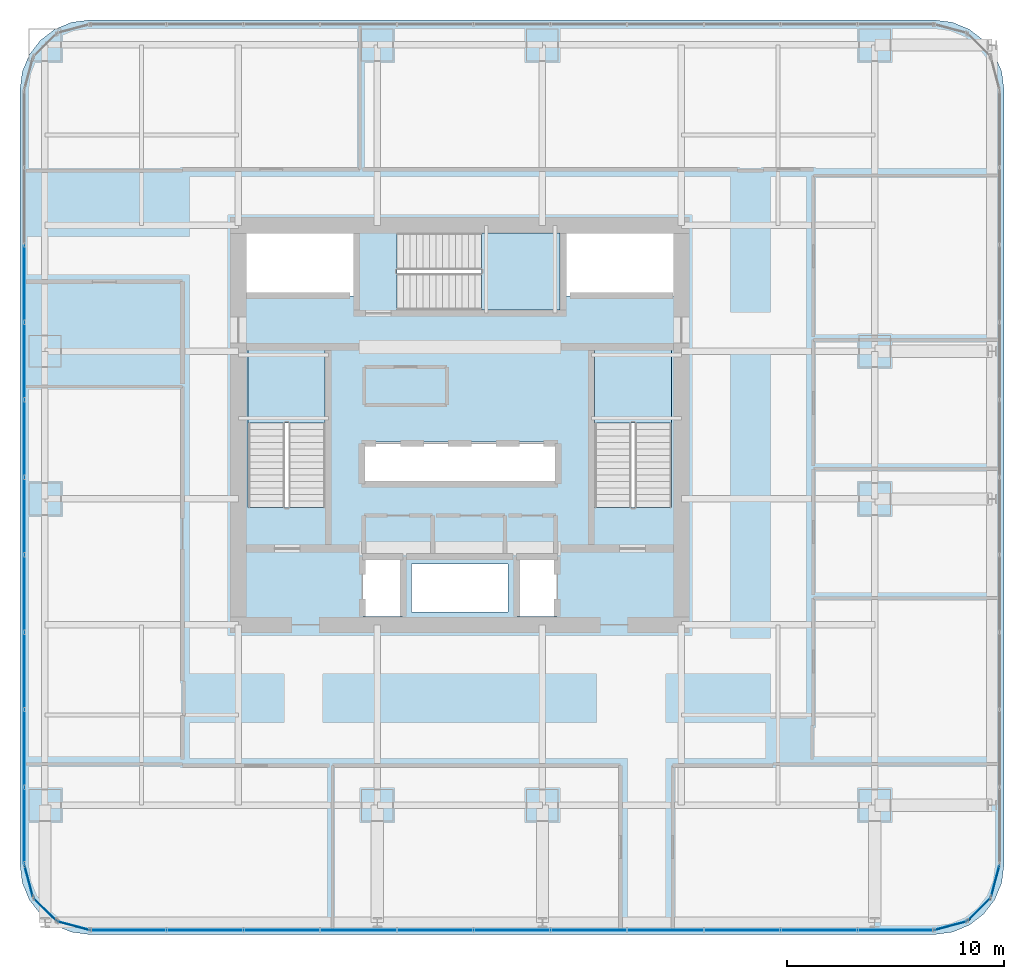
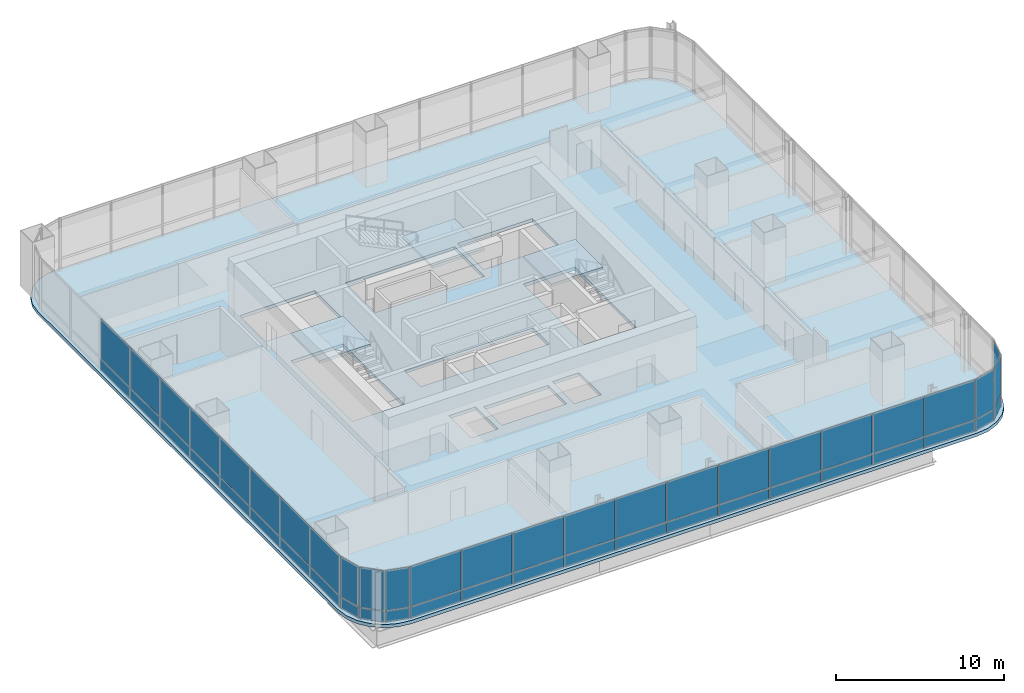
# One storey, part 25 of 34: 50 plates, 4 slabs, 11 elements without a shape of their own.
"""IFC4 building model written with IfcOpenShell, lengths in metres."""

from ifc_helpers import new_model, si_unit, direction, frame, origin, origin_2d, place, context, subcontext, project, spatial, polyline, rectangle, outline, extrude, material, layer, layer_set, type_object, element, aggregate, save


model = new_model("IFC4")

# Units and contexts
model_context = context("Model", 3, precision=1e-05, world=origin(), true_north=direction((0.0, 1.0)))
body_context = subcontext(model_context, "Body", "Model", "MODEL_VIEW")
ifc_project = project(units=[si_unit("LENGTHUNIT", "METRE"), si_unit("AREAUNIT", "SQUARE_METRE"), si_unit("VOLUMEUNIT", "CUBIC_METRE"), si_unit("PLANEANGLEUNIT", "RADIAN"), si_unit("MASSUNIT", "GRAM", prefix="KILO")], contexts=[model_context])

# Site, building, storey
site_placement = place(None, origin())
site = spatial("IfcSite", under=ifc_project, at=site_placement, CompositionType="ELEMENT")
building_placement = place(site_placement, origin())
building = spatial("IfcBuilding", under=site, at=building_placement, Name="Punatoya Terracotta Tower", CompositionType="ELEMENT")
storey_placement = place(building_placement, frame((0.0, 0.0, 84.89990234375)))
storey = spatial("IfcBuildingStorey", under=building, at=storey_placement, Name="L19", CompositionType="ELEMENT", Elevation=84.89990234375)

# Curtain wall, plates
ifc_material_1 = material(Name="Aluminium 6063-T6 + Double Low-E Glass", Category="aluminium")
curtain_wall_type = type_object("IfcCurtainWallType", Name="CW-M1", PredefinedType="NOTDEFINED", material=ifc_material_1)
curtain_wall_1_placement = place(storey_placement, origin())
curtain_wall_1 = element("IfcCurtainWall", 1, at=curtain_wall_1_placement, inside=storey, type_object=curtain_wall_type, Name="L19 Curtain Wall CW-L19-S01-1", PredefinedType="NOTDEFINED")
ifc_material_2 = material(Name="Double Low-E Clear Vision Glass", Category="glass")
ifc_layer_1 = layer(ifc_material_2, 0.028076171875)
ifc_layer_set_1 = layer_set([ifc_layer_1], Name="Double Low-E Clear Vision Glass")
plate_type_1 = type_object("IfcPlateType", Name="PLT-GLZ-28", PredefinedType="CURTAIN_PANEL", material=ifc_layer_set_1)
plate_1_placement = place(storey_placement, frame((-15.27001953125, -23.25, 0.89013671875), z_axis=(0.0, 0.0, 1.0), x_axis=(1.0, 0.0, 0.0)))
plate_1 = element("IfcPlate", 2, at=plate_1_placement, type_object=plate_type_1, Name="CW-L19-S01-1 Vision Glass Panel 1", PredefinedType="CURTAIN_PANEL", context=body_context, shape_type="SweptSolid", body=[
    extrude(rectangle(XDim=3.448974609375, YDim=0.028076171875, at=origin_2d()), origin(), (0.0, 0.0, 1.0), 2.8798828125),
])
plate_2_placement = place(storey_placement, frame((-11.73583984375, -23.25, 0.89013671875), z_axis=(0.0, 0.0, 1.0), x_axis=(1.0, 0.0, 0.0)))
plate_2 = element("IfcPlate", 3, at=plate_2_placement, type_object=plate_type_1, Name="CW-L19-S01-1 Vision Glass Panel 2", PredefinedType="CURTAIN_PANEL", context=body_context, shape_type="SweptSolid", body=[
    extrude(rectangle(XDim=3.448974609375, YDim=0.028076171875, at=origin_2d()), origin(), (0.0, 0.0, 1.0), 2.8798828125),
])
plate_3_placement = place(storey_placement, frame((-8.201904296875, -23.25, 0.89013671875), z_axis=(0.0, 0.0, 1.0), x_axis=(1.0, 0.0, 0.0)))
plate_3 = element("IfcPlate", 4, at=plate_3_placement, type_object=plate_type_1, Name="CW-L19-S01-1 Vision Glass Panel 3", PredefinedType="CURTAIN_PANEL", context=body_context, shape_type="SweptSolid", body=[
    extrude(rectangle(XDim=3.448974609375, YDim=0.028076171875, at=origin_2d()), origin(), (0.0, 0.0, 1.0), 2.8798828125),
])
plate_4_placement = place(storey_placement, frame((-4.66796875, -23.25, 0.89013671875), z_axis=(0.0, 0.0, 1.0), x_axis=(1.0, 0.0, 0.0)))
plate_4 = element("IfcPlate", 5, at=plate_4_placement, type_object=plate_type_1, Name="CW-L19-S01-1 Vision Glass Panel 4", PredefinedType="CURTAIN_PANEL", context=body_context, shape_type="SweptSolid", body=[
    extrude(rectangle(XDim=3.448974609375, YDim=0.028076171875, at=origin_2d()), origin(), (0.0, 0.0, 1.0), 2.8798828125),
])
plate_5_placement = place(storey_placement, frame((-1.134033203125, -23.25, 0.89013671875), z_axis=(0.0, 0.0, 1.0), x_axis=(1.0, 0.0, 0.0)))
plate_5 = element("IfcPlate", 6, at=plate_5_placement, type_object=plate_type_1, Name="CW-L19-S01-1 Vision Glass Panel 5", PredefinedType="CURTAIN_PANEL", context=body_context, shape_type="SweptSolid", body=[
    extrude(rectangle(XDim=3.448974609375, YDim=0.028076171875, at=origin_2d()), origin(), (0.0, 0.0, 1.0), 2.8798828125),
])
plate_6_placement = place(storey_placement, frame((2.39990234375, -23.25, 0.89013671875), z_axis=(0.0, 0.0, 1.0), x_axis=(1.0, 0.0, 0.0)))
plate_6 = element("IfcPlate", 7, at=plate_6_placement, type_object=plate_type_1, Name="CW-L19-S01-1 Vision Glass Panel 6", PredefinedType="CURTAIN_PANEL", context=body_context, shape_type="SweptSolid", body=[
    extrude(rectangle(XDim=3.448974609375, YDim=0.028076171875, at=origin_2d()), origin(), (0.0, 0.0, 1.0), 2.8798828125),
])
plate_7_placement = place(storey_placement, frame((5.93408203125, -23.25, 0.89013671875), z_axis=(0.0, 0.0, 1.0), x_axis=(1.0, 0.0, 0.0)))
plate_7 = element("IfcPlate", 8, at=plate_7_placement, type_object=plate_type_1, Name="CW-L19-S01-1 Vision Glass Panel 7", PredefinedType="CURTAIN_PANEL", context=body_context, shape_type="SweptSolid", body=[
    extrude(rectangle(XDim=3.448974609375, YDim=0.028076171875, at=origin_2d()), origin(), (0.0, 0.0, 1.0), 2.8798828125),
])
plate_8_placement = place(storey_placement, frame((9.468017578125, -23.25, 0.89013671875), z_axis=(0.0, 0.0, 1.0), x_axis=(1.0, 0.0, 0.0)))
plate_8 = element("IfcPlate", 9, at=plate_8_placement, type_object=plate_type_1, Name="CW-L19-S01-1 Vision Glass Panel 8", PredefinedType="CURTAIN_PANEL", context=body_context, shape_type="SweptSolid", body=[
    extrude(rectangle(XDim=3.448974609375, YDim=0.028076171875, at=origin_2d()), origin(), (0.0, 0.0, 1.0), 2.8798828125),
])
plate_9_placement = place(storey_placement, frame((13.001953125, -23.25, 0.89013671875), z_axis=(0.0, 0.0, 1.0), x_axis=(1.0, 0.0, 0.0)))
plate_9 = element("IfcPlate", 10, at=plate_9_placement, type_object=plate_type_1, Name="CW-L19-S01-1 Vision Glass Panel 9", PredefinedType="CURTAIN_PANEL", context=body_context, shape_type="SweptSolid", body=[
    extrude(rectangle(XDim=3.448974609375, YDim=0.028076171875, at=origin_2d()), origin(), (0.0, 0.0, 1.0), 2.8798828125),
])
plate_10_placement = place(storey_placement, frame((16.535888671875, -23.25, 0.89013671875), z_axis=(0.0, 0.0, 1.0), x_axis=(1.0, 0.0, 0.0)))
plate_10 = element("IfcPlate", 11, at=plate_10_placement, type_object=plate_type_1, Name="CW-L19-S01-1 Vision Glass Panel 10", PredefinedType="CURTAIN_PANEL", context=body_context, shape_type="SweptSolid", body=[
    extrude(rectangle(XDim=3.448974609375, YDim=0.028076171875, at=origin_2d()), origin(), (0.0, 0.0, 1.0), 2.8798828125),
])
plate_11_placement = place(storey_placement, frame((20.06982421875, -23.25, 0.89013671875), z_axis=(0.0, 0.0, 1.0), x_axis=(1.0, 0.0, 0.0)))
plate_11 = element("IfcPlate", 12, at=plate_11_placement, type_object=plate_type_1, Name="CW-L19-S01-1 Vision Glass Panel 11", PredefinedType="CURTAIN_PANEL", context=body_context, shape_type="SweptSolid", body=[
    extrude(rectangle(XDim=3.448974609375, YDim=0.028076171875, at=origin_2d()), origin(), (0.0, 0.0, 1.0), 2.8798828125),
])

# Curtain wall, plate
curtain_wall_2_placement = place(storey_placement, origin())
curtain_wall_2 = element("IfcCurtainWall", 13, at=curtain_wall_2_placement, inside=storey, type_object=curtain_wall_type, Name="L19 Curtain Wall CW-L19-CRN02", PredefinedType="NOTDEFINED")
plate_12_placement = place(storey_placement, frame((22.593017578125, -23.04833984375, 0.89013671875), z_axis=(0.0, 0.0, 1.0), x_axis=(0.966213877436, 0.257741620719, 0.0)))
plate_12 = element("IfcPlate", 14, at=plate_12_placement, type_object=plate_type_1, Name="CW-L19-CRN02 Vision Glass Panel 1", PredefinedType="CURTAIN_PANEL", context=body_context, shape_type="SweptSolid", body=[
    extrude(rectangle(XDim=1.47998046875, YDim=0.028076171875, at=origin_2d()), origin(), (0.0, 0.0, 1.0), 2.8798828125),
])

curtain_wall_3_placement = place(storey_placement, origin())
curtain_wall_3 = element("IfcCurtainWall", 15, at=curtain_wall_3_placement, inside=storey, type_object=curtain_wall_type, Name="L19 Curtain Wall CW-L19-CRN03", PredefinedType="NOTDEFINED")
plate_13_placement = place(storey_placement, frame((23.89794921875, -22.2978515625, 0.89013671875), z_axis=(0.0, 0.0, 1.0), x_axis=(0.707106781187, 0.707106781187, 0.0)))
plate_13 = element("IfcPlate", 16, at=plate_13_placement, type_object=plate_type_1, Name="CW-L19-CRN03 Vision Glass Panel 1", PredefinedType="CURTAIN_PANEL", context=body_context, shape_type="SweptSolid", body=[
    extrude(rectangle(XDim=1.467041015625, YDim=0.028076171875, at=origin_2d()), origin(), (0.0, 0.0, 1.0), 2.8798828125),
])

curtain_wall_4_placement = place(storey_placement, origin())
curtain_wall_4 = element("IfcCurtainWall", 17, at=curtain_wall_4_placement, inside=storey, type_object=curtain_wall_type, Name="L19 Curtain Wall CW-L19-CRN04", PredefinedType="NOTDEFINED")
plate_14_placement = place(storey_placement, frame((24.648193359375, -20.992919921875, 0.89013671875), z_axis=(0.0, 0.0, 1.0), x_axis=(0.257741620719, 0.966213877436, 0.0)))
plate_14 = element("IfcPlate", 18, at=plate_14_placement, type_object=plate_type_1, Name="CW-L19-CRN04 Vision Glass Panel 1", PredefinedType="CURTAIN_PANEL", context=body_context, shape_type="SweptSolid", body=[
    extrude(rectangle(XDim=1.47998046875, YDim=0.028076171875, at=origin_2d()), origin(), (0.0, 0.0, 1.0), 2.8798828125),
])

# Curtain wall, plates
curtain_wall_5_placement = place(storey_placement, origin())
curtain_wall_5 = element("IfcCurtainWall", 19, at=curtain_wall_5_placement, inside=storey, type_object=curtain_wall_type, Name="L19 Curtain Wall CW-L19-W13-1", PredefinedType="NOTDEFINED")
plate_15_placement = place(storey_placement, frame((-20.050048828125, 6.518310546875, 0.89013671875), z_axis=(0.0, 0.0, 1.0), x_axis=(0.0, -1.0, 0.0)))
plate_15 = element("IfcPlate", 20, at=plate_15_placement, type_object=plate_type_1, Name="CW-L19-W13-1 Vision Glass Panel 3", PredefinedType="CURTAIN_PANEL", context=body_context, shape_type="SweptSolid", body=[
    extrude(rectangle(XDim=3.482421875, YDim=0.028076171875, at=origin_2d()), origin(), (0.0, 0.0, 1.0), 2.8798828125),
])
plate_16_placement = place(storey_placement, frame((-20.050048828125, 2.951171875, 0.89013671875), z_axis=(0.0, 0.0, 1.0), x_axis=(0.0, -1.0, 0.0)))
plate_16 = element("IfcPlate", 21, at=plate_16_placement, type_object=plate_type_1, Name="CW-L19-W13-1 Vision Glass Panel 4", PredefinedType="CURTAIN_PANEL", context=body_context, shape_type="SweptSolid", body=[
    extrude(rectangle(XDim=3.482421875, YDim=0.028076171875, at=origin_2d()), origin(), (0.0, 0.0, 1.0), 2.8798828125),
])
plate_17_placement = place(storey_placement, frame((-20.050048828125, -0.6162109375, 0.89013671875), z_axis=(0.0, 0.0, 1.0), x_axis=(0.0, -1.0, 0.0)))
plate_17 = element("IfcPlate", 22, at=plate_17_placement, type_object=plate_type_1, Name="CW-L19-W13-1 Vision Glass Panel 5", PredefinedType="CURTAIN_PANEL", context=body_context, shape_type="SweptSolid", body=[
    extrude(rectangle(XDim=3.482421875, YDim=0.028076171875, at=origin_2d()), origin(), (0.0, 0.0, 1.0), 2.8798828125),
])
plate_18_placement = place(storey_placement, frame((-20.050048828125, -4.18359375, 0.89013671875), z_axis=(0.0, 0.0, 1.0), x_axis=(0.0, -1.0, 0.0)))
plate_18 = element("IfcPlate", 23, at=plate_18_placement, type_object=plate_type_1, Name="CW-L19-W13-1 Vision Glass Panel 6", PredefinedType="CURTAIN_PANEL", context=body_context, shape_type="SweptSolid", body=[
    extrude(rectangle(XDim=3.482421875, YDim=0.028076171875, at=origin_2d()), origin(), (0.0, 0.0, 1.0), 2.8798828125),
])
plate_19_placement = place(storey_placement, frame((-20.050048828125, -7.751220703125, 0.89013671875), z_axis=(0.0, 0.0, 1.0), x_axis=(0.0, -1.0, 0.0)))
plate_19 = element("IfcPlate", 24, at=plate_19_placement, type_object=plate_type_1, Name="CW-L19-W13-1 Vision Glass Panel 7", PredefinedType="CURTAIN_PANEL", context=body_context, shape_type="SweptSolid", body=[
    extrude(rectangle(XDim=3.482421875, YDim=0.028076171875, at=origin_2d()), origin(), (0.0, 0.0, 1.0), 2.8798828125),
])
plate_20_placement = place(storey_placement, frame((-20.050048828125, -11.318359375, 0.89013671875), z_axis=(0.0, 0.0, 1.0), x_axis=(0.0, -1.0, 0.0)))
plate_20 = element("IfcPlate", 25, at=plate_20_placement, type_object=plate_type_1, Name="CW-L19-W13-1 Vision Glass Panel 8", PredefinedType="CURTAIN_PANEL", context=body_context, shape_type="SweptSolid", body=[
    extrude(rectangle(XDim=3.482421875, YDim=0.028076171875, at=origin_2d()), origin(), (0.0, 0.0, 1.0), 2.8798828125),
])
plate_21_placement = place(storey_placement, frame((-20.050048828125, -14.8857421875, 0.89013671875), z_axis=(0.0, 0.0, 1.0), x_axis=(0.0, -1.0, 0.0)))
plate_21 = element("IfcPlate", 26, at=plate_21_placement, type_object=plate_type_1, Name="CW-L19-W13-1 Vision Glass Panel 9", PredefinedType="CURTAIN_PANEL", context=body_context, shape_type="SweptSolid", body=[
    extrude(rectangle(XDim=3.482421875, YDim=0.028076171875, at=origin_2d()), origin(), (0.0, 0.0, 1.0), 2.8798828125),
])
plate_22_placement = place(storey_placement, frame((-20.050048828125, -18.453125, 0.89013671875), z_axis=(0.0, 0.0, 1.0), x_axis=(0.0, -1.0, 0.0)))
plate_22 = element("IfcPlate", 27, at=plate_22_placement, type_object=plate_type_1, Name="CW-L19-W13-1 Vision Glass Panel 10", PredefinedType="CURTAIN_PANEL", context=body_context, shape_type="SweptSolid", body=[
    extrude(rectangle(XDim=3.482421875, YDim=0.028076171875, at=origin_2d()), origin(), (0.0, 0.0, 1.0), 2.8798828125),
])

# Curtain wall, plate
curtain_wall_6_placement = place(storey_placement, origin())
curtain_wall_6 = element("IfcCurtainWall", 28, at=curtain_wall_6_placement, inside=storey, type_object=curtain_wall_type, Name="L19 Curtain Wall CW-L19-CRN14", PredefinedType="NOTDEFINED")
plate_23_placement = place(storey_placement, frame((-19.848388671875, -20.992919921875, 0.89013671875), z_axis=(0.0, 0.0, 1.0), x_axis=(0.257741620719, -0.966213877436, 0.0)))
plate_23 = element("IfcPlate", 29, at=plate_23_placement, type_object=plate_type_1, Name="CW-L19-CRN14 Vision Glass Panel 1", PredefinedType="CURTAIN_PANEL", context=body_context, shape_type="SweptSolid", body=[
    extrude(rectangle(XDim=1.47998046875, YDim=0.028076171875, at=origin_2d()), origin(), (0.0, 0.0, 1.0), 2.8798828125),
])

curtain_wall_7_placement = place(storey_placement, origin())
curtain_wall_7 = element("IfcCurtainWall", 30, at=curtain_wall_7_placement, inside=storey, type_object=curtain_wall_type, Name="L19 Curtain Wall CW-L19-CRN15", PredefinedType="NOTDEFINED")
plate_24_placement = place(storey_placement, frame((-19.097900390625, -22.2978515625, 0.89013671875), z_axis=(0.0, 0.0, 1.0), x_axis=(0.707106781187, -0.707106781187, 0.0)))
plate_24 = element("IfcPlate", 31, at=plate_24_placement, type_object=plate_type_1, Name="CW-L19-CRN15 Vision Glass Panel 1", PredefinedType="CURTAIN_PANEL", context=body_context, shape_type="SweptSolid", body=[
    extrude(rectangle(XDim=1.467041015625, YDim=0.028076171875, at=origin_2d()), origin(), (0.0, 0.0, 1.0), 2.8798828125),
])

curtain_wall_8_placement = place(storey_placement, origin())
curtain_wall_8 = element("IfcCurtainWall", 32, at=curtain_wall_8_placement, inside=storey, type_object=curtain_wall_type, Name="L19 Curtain Wall CW-L19-CRN16", PredefinedType="NOTDEFINED")
plate_25_placement = place(storey_placement, frame((-17.79296875, -23.04833984375, 0.89013671875), z_axis=(0.0, 0.0, 1.0), x_axis=(0.966213877436, -0.257741620719, 0.0)))
plate_25 = element("IfcPlate", 33, at=plate_25_placement, type_object=plate_type_1, Name="CW-L19-CRN16 Vision Glass Panel 1", PredefinedType="CURTAIN_PANEL", context=body_context, shape_type="SweptSolid", body=[
    extrude(rectangle(XDim=1.47998046875, YDim=0.028076171875, at=origin_2d()), origin(), (0.0, 0.0, 1.0), 2.8798828125),
])

# Plate
ifc_material_3 = material(Name="Insulated Terracotta-Backed Spandrel Panel", Category="masonry")
ifc_layer_2 = layer(ifc_material_3, 0.044921875)
ifc_layer_set_2 = layer_set([ifc_layer_2], Name="Insulated Terracotta-Backed Spandrel Panel")
plate_type_2 = type_object("IfcPlateType", Name="PLT-SPN-45", PredefinedType="CURTAIN_PANEL", material=ifc_layer_set_2)
plate_26_placement = place(storey_placement, frame((-15.27001953125, -23.25, 0.0400390625), z_axis=(0.0, 0.0, 1.0), x_axis=(1.0, 0.0, 0.0)))
plate_26 = element("IfcPlate", 34, at=plate_26_placement, type_object=plate_type_2, Name="CW-L19-S01-1 Terracotta Spandrel Panel 1", PredefinedType="CURTAIN_PANEL", context=body_context, shape_type="SweptSolid", body=[
    extrude(rectangle(XDim=3.448974609375, YDim=0.044921875, at=origin_2d()), origin(), (0.0, 0.0, 1.0), 0.77490234375),
])

plate_27_placement = place(storey_placement, frame((-11.73583984375, -23.25, 0.0400390625), z_axis=(0.0, 0.0, 1.0), x_axis=(1.0, 0.0, 0.0)))
plate_27 = element("IfcPlate", 35, at=plate_27_placement, type_object=plate_type_2, Name="CW-L19-S01-1 Terracotta Spandrel Panel 2", PredefinedType="CURTAIN_PANEL", context=body_context, shape_type="SweptSolid", body=[
    extrude(rectangle(XDim=3.448974609375, YDim=0.044921875, at=origin_2d()), origin(), (0.0, 0.0, 1.0), 0.77490234375),
])

plate_28_placement = place(storey_placement, frame((-8.201904296875, -23.25, 0.0400390625), z_axis=(0.0, 0.0, 1.0), x_axis=(1.0, 0.0, 0.0)))
plate_28 = element("IfcPlate", 36, at=plate_28_placement, type_object=plate_type_2, Name="CW-L19-S01-1 Terracotta Spandrel Panel 3", PredefinedType="CURTAIN_PANEL", context=body_context, shape_type="SweptSolid", body=[
    extrude(rectangle(XDim=3.448974609375, YDim=0.044921875, at=origin_2d()), origin(), (0.0, 0.0, 1.0), 0.77490234375),
])

plate_29_placement = place(storey_placement, frame((-4.66796875, -23.25, 0.0400390625), z_axis=(0.0, 0.0, 1.0), x_axis=(1.0, 0.0, 0.0)))
plate_29 = element("IfcPlate", 37, at=plate_29_placement, type_object=plate_type_2, Name="CW-L19-S01-1 Terracotta Spandrel Panel 4", PredefinedType="CURTAIN_PANEL", context=body_context, shape_type="SweptSolid", body=[
    extrude(rectangle(XDim=3.448974609375, YDim=0.044921875, at=origin_2d()), origin(), (0.0, 0.0, 1.0), 0.77490234375),
])

plate_30_placement = place(storey_placement, frame((-1.134033203125, -23.25, 0.0400390625), z_axis=(0.0, 0.0, 1.0), x_axis=(1.0, 0.0, 0.0)))
plate_30 = element("IfcPlate", 38, at=plate_30_placement, type_object=plate_type_2, Name="CW-L19-S01-1 Terracotta Spandrel Panel 5", PredefinedType="CURTAIN_PANEL", context=body_context, shape_type="SweptSolid", body=[
    extrude(rectangle(XDim=3.448974609375, YDim=0.044921875, at=origin_2d()), origin(), (0.0, 0.0, 1.0), 0.77490234375),
])

plate_31_placement = place(storey_placement, frame((2.39990234375, -23.25, 0.0400390625), z_axis=(0.0, 0.0, 1.0), x_axis=(1.0, 0.0, 0.0)))
plate_31 = element("IfcPlate", 39, at=plate_31_placement, type_object=plate_type_2, Name="CW-L19-S01-1 Terracotta Spandrel Panel 6", PredefinedType="CURTAIN_PANEL", context=body_context, shape_type="SweptSolid", body=[
    extrude(rectangle(XDim=3.448974609375, YDim=0.044921875, at=origin_2d()), origin(), (0.0, 0.0, 1.0), 0.77490234375),
])

plate_32_placement = place(storey_placement, frame((5.93408203125, -23.25, 0.0400390625), z_axis=(0.0, 0.0, 1.0), x_axis=(1.0, 0.0, 0.0)))
plate_32 = element("IfcPlate", 40, at=plate_32_placement, type_object=plate_type_2, Name="CW-L19-S01-1 Terracotta Spandrel Panel 7", PredefinedType="CURTAIN_PANEL", context=body_context, shape_type="SweptSolid", body=[
    extrude(rectangle(XDim=3.448974609375, YDim=0.044921875, at=origin_2d()), origin(), (0.0, 0.0, 1.0), 0.77490234375),
])

plate_33_placement = place(storey_placement, frame((9.468017578125, -23.25, 0.0400390625), z_axis=(0.0, 0.0, 1.0), x_axis=(1.0, 0.0, 0.0)))
plate_33 = element("IfcPlate", 41, at=plate_33_placement, type_object=plate_type_2, Name="CW-L19-S01-1 Terracotta Spandrel Panel 8", PredefinedType="CURTAIN_PANEL", context=body_context, shape_type="SweptSolid", body=[
    extrude(rectangle(XDim=3.448974609375, YDim=0.044921875, at=origin_2d()), origin(), (0.0, 0.0, 1.0), 0.77490234375),
])

plate_34_placement = place(storey_placement, frame((13.001953125, -23.25, 0.0400390625), z_axis=(0.0, 0.0, 1.0), x_axis=(1.0, 0.0, 0.0)))
plate_34 = element("IfcPlate", 42, at=plate_34_placement, type_object=plate_type_2, Name="CW-L19-S01-1 Terracotta Spandrel Panel 9", PredefinedType="CURTAIN_PANEL", context=body_context, shape_type="SweptSolid", body=[
    extrude(rectangle(XDim=3.448974609375, YDim=0.044921875, at=origin_2d()), origin(), (0.0, 0.0, 1.0), 0.77490234375),
])

plate_35_placement = place(storey_placement, frame((16.535888671875, -23.25, 0.0400390625), z_axis=(0.0, 0.0, 1.0), x_axis=(1.0, 0.0, 0.0)))
plate_35 = element("IfcPlate", 43, at=plate_35_placement, type_object=plate_type_2, Name="CW-L19-S01-1 Terracotta Spandrel Panel 10", PredefinedType="CURTAIN_PANEL", context=body_context, shape_type="SweptSolid", body=[
    extrude(rectangle(XDim=3.448974609375, YDim=0.044921875, at=origin_2d()), origin(), (0.0, 0.0, 1.0), 0.77490234375),
])

plate_36_placement = place(storey_placement, frame((20.06982421875, -23.25, 0.0400390625), z_axis=(0.0, 0.0, 1.0), x_axis=(1.0, 0.0, 0.0)))
plate_36 = element("IfcPlate", 44, at=plate_36_placement, type_object=plate_type_2, Name="CW-L19-S01-1 Terracotta Spandrel Panel 11", PredefinedType="CURTAIN_PANEL", context=body_context, shape_type="SweptSolid", body=[
    extrude(rectangle(XDim=3.448974609375, YDim=0.044921875, at=origin_2d()), origin(), (0.0, 0.0, 1.0), 0.77490234375),
])

aggregate(curtain_wall_1, [plate_26, plate_1, plate_27, plate_2, plate_28, plate_3, plate_29, plate_4, plate_30, plate_5, plate_31, plate_6, plate_32, plate_7, plate_33, plate_8, plate_34, plate_9, plate_35, plate_10, plate_36, plate_11])

plate_37_placement = place(storey_placement, frame((22.593017578125, -23.04833984375, 0.0400390625), z_axis=(0.0, 0.0, 1.0), x_axis=(0.966213877436, 0.257741620719, 0.0)))
plate_37 = element("IfcPlate", 45, at=plate_37_placement, type_object=plate_type_2, Name="CW-L19-CRN02 Terracotta Spandrel Panel 1", PredefinedType="CURTAIN_PANEL", context=body_context, shape_type="SweptSolid", body=[
    extrude(rectangle(XDim=1.47998046875, YDim=0.044921875, at=origin_2d()), origin(), (0.0, 0.0, 1.0), 0.77490234375),
])

aggregate(curtain_wall_2, [plate_37, plate_12])

plate_38_placement = place(storey_placement, frame((23.89794921875, -22.2978515625, 0.0400390625), z_axis=(0.0, 0.0, 1.0), x_axis=(0.707106781187, 0.707106781187, 0.0)))
plate_38 = element("IfcPlate", 46, at=plate_38_placement, type_object=plate_type_2, Name="CW-L19-CRN03 Terracotta Spandrel Panel 1", PredefinedType="CURTAIN_PANEL", context=body_context, shape_type="SweptSolid", body=[
    extrude(rectangle(XDim=1.467041015625, YDim=0.044921875, at=origin_2d()), origin(), (0.0, 0.0, 1.0), 0.77490234375),
])

aggregate(curtain_wall_3, [plate_38, plate_13])

plate_39_placement = place(storey_placement, frame((24.648193359375, -20.992919921875, 0.0400390625), z_axis=(0.0, 0.0, 1.0), x_axis=(0.257741620719, 0.966213877436, 0.0)))
plate_39 = element("IfcPlate", 47, at=plate_39_placement, type_object=plate_type_2, Name="CW-L19-CRN04 Terracotta Spandrel Panel 1", PredefinedType="CURTAIN_PANEL", context=body_context, shape_type="SweptSolid", body=[
    extrude(rectangle(XDim=1.47998046875, YDim=0.044921875, at=origin_2d()), origin(), (0.0, 0.0, 1.0), 0.77490234375),
])

aggregate(curtain_wall_4, [plate_39, plate_14])

plate_40_placement = place(storey_placement, frame((-20.050048828125, 6.518310546875, 0.0400390625), z_axis=(0.0, 0.0, 1.0), x_axis=(0.0, -1.0, 0.0)))
plate_40 = element("IfcPlate", 48, at=plate_40_placement, type_object=plate_type_2, Name="CW-L19-W13-1 Terracotta Spandrel Panel 3", PredefinedType="CURTAIN_PANEL", context=body_context, shape_type="SweptSolid", body=[
    extrude(rectangle(XDim=3.482421875, YDim=0.044921875, at=origin_2d()), origin(), (0.0, 0.0, 1.0), 0.77490234375),
])

plate_41_placement = place(storey_placement, frame((-20.050048828125, 2.951171875, 0.0400390625), z_axis=(0.0, 0.0, 1.0), x_axis=(0.0, -1.0, 0.0)))
plate_41 = element("IfcPlate", 49, at=plate_41_placement, type_object=plate_type_2, Name="CW-L19-W13-1 Terracotta Spandrel Panel 4", PredefinedType="CURTAIN_PANEL", context=body_context, shape_type="SweptSolid", body=[
    extrude(rectangle(XDim=3.482421875, YDim=0.044921875, at=origin_2d()), origin(), (0.0, 0.0, 1.0), 0.77490234375),
])

plate_42_placement = place(storey_placement, frame((-20.050048828125, -0.6162109375, 0.0400390625), z_axis=(0.0, 0.0, 1.0), x_axis=(0.0, -1.0, 0.0)))
plate_42 = element("IfcPlate", 50, at=plate_42_placement, type_object=plate_type_2, Name="CW-L19-W13-1 Terracotta Spandrel Panel 5", PredefinedType="CURTAIN_PANEL", context=body_context, shape_type="SweptSolid", body=[
    extrude(rectangle(XDim=3.482421875, YDim=0.044921875, at=origin_2d()), origin(), (0.0, 0.0, 1.0), 0.77490234375),
])

plate_43_placement = place(storey_placement, frame((-20.050048828125, -4.18359375, 0.0400390625), z_axis=(0.0, 0.0, 1.0), x_axis=(0.0, -1.0, 0.0)))
plate_43 = element("IfcPlate", 51, at=plate_43_placement, type_object=plate_type_2, Name="CW-L19-W13-1 Terracotta Spandrel Panel 6", PredefinedType="CURTAIN_PANEL", context=body_context, shape_type="SweptSolid", body=[
    extrude(rectangle(XDim=3.482421875, YDim=0.044921875, at=origin_2d()), origin(), (0.0, 0.0, 1.0), 0.77490234375),
])

plate_44_placement = place(storey_placement, frame((-20.050048828125, -7.751220703125, 0.0400390625), z_axis=(0.0, 0.0, 1.0), x_axis=(0.0, -1.0, 0.0)))
plate_44 = element("IfcPlate", 52, at=plate_44_placement, type_object=plate_type_2, Name="CW-L19-W13-1 Terracotta Spandrel Panel 7", PredefinedType="CURTAIN_PANEL", context=body_context, shape_type="SweptSolid", body=[
    extrude(rectangle(XDim=3.482421875, YDim=0.044921875, at=origin_2d()), origin(), (0.0, 0.0, 1.0), 0.77490234375),
])

plate_45_placement = place(storey_placement, frame((-20.050048828125, -11.318359375, 0.0400390625), z_axis=(0.0, 0.0, 1.0), x_axis=(0.0, -1.0, 0.0)))
plate_45 = element("IfcPlate", 53, at=plate_45_placement, type_object=plate_type_2, Name="CW-L19-W13-1 Terracotta Spandrel Panel 8", PredefinedType="CURTAIN_PANEL", context=body_context, shape_type="SweptSolid", body=[
    extrude(rectangle(XDim=3.482421875, YDim=0.044921875, at=origin_2d()), origin(), (0.0, 0.0, 1.0), 0.77490234375),
])

plate_46_placement = place(storey_placement, frame((-20.050048828125, -14.8857421875, 0.0400390625), z_axis=(0.0, 0.0, 1.0), x_axis=(0.0, -1.0, 0.0)))
plate_46 = element("IfcPlate", 54, at=plate_46_placement, type_object=plate_type_2, Name="CW-L19-W13-1 Terracotta Spandrel Panel 9", PredefinedType="CURTAIN_PANEL", context=body_context, shape_type="SweptSolid", body=[
    extrude(rectangle(XDim=3.482421875, YDim=0.044921875, at=origin_2d()), origin(), (0.0, 0.0, 1.0), 0.77490234375),
])

plate_47_placement = place(storey_placement, frame((-20.050048828125, -18.453125, 0.0400390625), z_axis=(0.0, 0.0, 1.0), x_axis=(0.0, -1.0, 0.0)))
plate_47 = element("IfcPlate", 55, at=plate_47_placement, type_object=plate_type_2, Name="CW-L19-W13-1 Terracotta Spandrel Panel 10", PredefinedType="CURTAIN_PANEL", context=body_context, shape_type="SweptSolid", body=[
    extrude(rectangle(XDim=3.482421875, YDim=0.044921875, at=origin_2d()), origin(), (0.0, 0.0, 1.0), 0.77490234375),
])

aggregate(curtain_wall_5, [plate_40, plate_15, plate_41, plate_16, plate_42, plate_17, plate_43, plate_18, plate_44, plate_19, plate_45, plate_20, plate_46, plate_21, plate_47, plate_22])

plate_48_placement = place(storey_placement, frame((-19.848388671875, -20.992919921875, 0.0400390625), z_axis=(0.0, 0.0, 1.0), x_axis=(0.257741620719, -0.966213877436, 0.0)))
plate_48 = element("IfcPlate", 56, at=plate_48_placement, type_object=plate_type_2, Name="CW-L19-CRN14 Terracotta Spandrel Panel 1", PredefinedType="CURTAIN_PANEL", context=body_context, shape_type="SweptSolid", body=[
    extrude(rectangle(XDim=1.47998046875, YDim=0.044921875, at=origin_2d()), origin(), (0.0, 0.0, 1.0), 0.77490234375),
])

aggregate(curtain_wall_6, [plate_48, plate_23])

plate_49_placement = place(storey_placement, frame((-19.097900390625, -22.2978515625, 0.0400390625), z_axis=(0.0, 0.0, 1.0), x_axis=(0.707106781187, -0.707106781187, 0.0)))
plate_49 = element("IfcPlate", 57, at=plate_49_placement, type_object=plate_type_2, Name="CW-L19-CRN15 Terracotta Spandrel Panel 1", PredefinedType="CURTAIN_PANEL", context=body_context, shape_type="SweptSolid", body=[
    extrude(rectangle(XDim=1.467041015625, YDim=0.044921875, at=origin_2d()), origin(), (0.0, 0.0, 1.0), 0.77490234375),
])

aggregate(curtain_wall_7, [plate_49, plate_24])

plate_50_placement = place(storey_placement, frame((-17.79296875, -23.04833984375, 0.0400390625), z_axis=(0.0, 0.0, 1.0), x_axis=(0.966213877436, -0.257741620719, 0.0)))
plate_50 = element("IfcPlate", 58, at=plate_50_placement, type_object=plate_type_2, Name="CW-L19-CRN16 Terracotta Spandrel Panel 1", PredefinedType="CURTAIN_PANEL", context=body_context, shape_type="SweptSolid", body=[
    extrude(rectangle(XDim=1.47998046875, YDim=0.044921875, at=origin_2d()), origin(), (0.0, 0.0, 1.0), 0.77490234375),
])

aggregate(curtain_wall_8, [plate_50, plate_25])

# Stair, slab
ifc_material_4 = material(Name="Concrete C40/50", Category="concrete")
stair_type_1 = type_object("IfcStairType", Name="STR-TER-1450", PredefinedType="HALF_TURN_STAIR", material=ifc_material_4)
stair_1_placement = place(storey_placement, origin())
stair_1 = element("IfcStair", 59, at=stair_1_placement, inside=storey, type_object=stair_type_1, Name="L19 Protected Core Exit Stair ST-3", PredefinedType="HALF_TURN_STAIR")
ifc_layer_3 = layer(ifc_material_4, 0.1650390625)
ifc_layer_set_3 = layer_set([ifc_layer_3], Name="Concrete C40/50")
slab_type_1 = type_object("IfcSlabType", Name="SLB-LND-165", PredefinedType="LANDING", material=ifc_layer_set_3)
slab_1_placement = place(storey_placement, frame((0.0, 0.0, 1.8251953125)))
slab_1 = element("IfcSlab", 60, at=slab_1_placement, type_object=slab_type_1, Name="ST-3 landing 1", PredefinedType="LANDING", context=body_context, shape_type="SweptSolid", body=[
    extrude(outline(polyline([(1.0, 5.300048828125), (4.60009765625, 5.300048828125), (4.60009765625, 8.85009765625), (1.0, 8.85009765625), (1.0, 5.300048828125)])), origin(), (0.0, 0.0, 1.0), 0.199951171875),
])
aggregate(stair_1, [slab_1])

stair_type_2 = type_object("IfcStairType", Name="STR-CORE-1550", PredefinedType="HALF_TURN_STAIR", material=ifc_material_4)
stair_2_placement = place(storey_placement, origin())
stair_2 = element("IfcStair", 61, at=stair_2_placement, inside=storey, type_object=stair_type_2, Name="L19 Protected Core Exit Stair ST-1", PredefinedType="HALF_TURN_STAIR")
ifc_layer_4 = layer(ifc_material_4, 0.179931640625)
ifc_layer_set_4 = layer_set([ifc_layer_4], Name="Concrete C40/50")
slab_type_2 = type_object("IfcSlabType", Name="SLB-LND-180", PredefinedType="LANDING", material=ifc_layer_set_4)
slab_2_placement = place(storey_placement, frame((0.0, 0.0, 1.8251953125)))
slab_2 = element("IfcSlab", 62, at=slab_2_placement, type_object=slab_type_2, Name="ST-1 landing 1", PredefinedType="LANDING", context=body_context, shape_type="SweptSolid", body=[
    extrude(outline(polyline([(-6.199951171875, 0.10009765625), (-6.199951171875, 3.449951171875), (-9.75, 3.449951171875), (-9.75, 0.10009765625), (-6.199951171875, 0.10009765625)])), origin(), (0.0, 0.0, 1.0), 0.199951171875),
])
aggregate(stair_2, [slab_2])

stair_type_3 = type_object("IfcStairType", Name="STR-LOB-1650", PredefinedType="HALF_TURN_STAIR", material=ifc_material_4)
stair_3_placement = place(storey_placement, origin())
stair_3 = element("IfcStair", 63, at=stair_3_placement, inside=storey, type_object=stair_type_3, Name="L19 Protected Core Exit Stair ST-2", PredefinedType="HALF_TURN_STAIR")
slab_3_placement = place(storey_placement, frame((0.0, 0.0, 1.8251953125)))
slab_3 = element("IfcSlab", 64, at=slab_3_placement, type_object=slab_type_2, Name="ST-2 landing 1", PredefinedType="LANDING", context=body_context, shape_type="SweptSolid", body=[
    extrude(outline(polyline([(9.75, 0.10009765625), (9.75, 3.449951171875), (6.199951171875, 3.449951171875), (6.199951171875, 0.10009765625), (9.75, 0.10009765625)])), origin(), (0.0, 0.0, 1.0), 0.199951171875),
])
aggregate(stair_3, [slab_3])

# Slab
ifc_layer_5 = layer(ifc_material_4, 0.239990234375)
ifc_layer_set_5 = layer_set([ifc_layer_5], Name="Concrete C40/50")
slab_type_3 = type_object("IfcSlabType", Name="SLB-OFF-240", PredefinedType="FLOOR", material=ifc_layer_set_5)
slab_4_placement = place(storey_placement, frame((0.0, 0.0, -0.239990234375)))
element("IfcSlab", 65, at=slab_4_placement, inside=storey, type_object=slab_type_3, Name="L19 Structural Floor Slab", PredefinedType="FLOOR", context=body_context, shape_type="SweptSolid", body=[
    extrude(outline(polyline([(-17.050048828125, -23.449951171875), (-17.878173828125, -23.341064453125), (-18.64990234375, -23.021240234375), (-19.312744140625, -22.5126953125), (-19.8212890625, -21.85009765625), (-20.14111328125, -21.078125), (-20.25, -20.25), (-20.25, 15.449951171875), (-20.14111328125, 16.2783203125), (-19.8212890625, 17.050048828125), (-19.312744140625, 17.712646484375), (-18.64990234375, 18.22119140625), (-17.878173828125, 18.541015625), (-17.050048828125, 18.64990234375), (21.85009765625, 18.64990234375), (22.67822265625, 18.541015625), (23.449951171875, 18.22119140625), (24.11279296875, 17.712646484375), (24.621337890625, 17.050048828125), (24.94091796875, 16.2783203125), (25.050048828125, 15.449951171875), (25.050048828125, -20.25), (24.94091796875, -21.078125), (24.621337890625, -21.85009765625), (24.11279296875, -22.5126953125), (23.449951171875, -23.021240234375), (22.67822265625, -23.341064453125), (21.85009765625, -23.449951171875), (-17.050048828125, -23.449951171875)]), holes=[polyline([(-2.6298828125, -6.179931640625), (-4.469970703125, -6.179931640625), (-4.469970703125, -8.820068359375), (-2.6298828125, -8.820068359375), (-2.6298828125, -6.179931640625)]), polyline([(0.02001953125, -8.594970703125), (2.219970703125, -8.594970703125), (2.219970703125, -6.405029296875), (0.02001953125, -6.405029296875), (-0.02001953125, -6.405029296875), (-2.219970703125, -6.405029296875), (-2.219970703125, -8.594970703125), (-0.02001953125, -8.594970703125), (0.02001953125, -8.594970703125)]), polyline([(-2.219970703125, -2.719970703125), (-2.179931640625, -2.719970703125), (-0.02001953125, -2.719970703125), (0.02001953125, -2.719970703125), (2.179931640625, -2.719970703125), (2.219970703125, -2.719970703125), (4.419921875, -2.719970703125), (4.419921875, -0.780029296875), (2.219970703125, -0.780029296875), (2.179931640625, -0.780029296875), (0.02001953125, -0.780029296875), (-0.02001953125, -0.780029296875), (-2.179931640625, -0.780029296875), (-2.219970703125, -0.780029296875), (-4.419921875, -0.780029296875), (-4.419921875, -2.719970703125), (-2.219970703125, -2.719970703125)]), polyline([(-6.199951171875, 3.449951171875), (-9.75, 3.449951171875), (-9.75, -3.79931640625), (-6.199951171875, -3.79931640625), (-6.199951171875, 3.449951171875)]), polyline([(4.60009765625, 5.300048828125), (4.60009765625, 8.85009765625), (-2.899169921875, 8.85009765625), (-2.899169921875, 5.300048828125), (4.60009765625, 5.300048828125)]), polyline([(-4.89990234375, 9.050048828125), (-10.050048828125, 9.050048828125), (-10.050048828125, 5.949951171875), (-4.89990234375, 5.949951171875), (-4.89990234375, 9.050048828125)]), polyline([(4.469970703125, -8.820068359375), (4.469970703125, -6.179931640625), (2.6298828125, -6.179931640625), (2.6298828125, -8.820068359375), (4.469970703125, -8.820068359375)]), polyline([(9.75, 3.449951171875), (6.199951171875, 3.449951171875), (6.199951171875, -3.79931640625), (9.75, -3.79931640625), (9.75, 3.449951171875)]), polyline([(10.050048828125, 5.949951171875), (10.050048828125, 9.050048828125), (4.89990234375, 9.050048828125), (4.89990234375, 5.949951171875), (10.050048828125, 5.949951171875)])]), origin(), (0.0, 0.0, 1.0), 0.239990234375),
])

save(model, "model.ifc")
